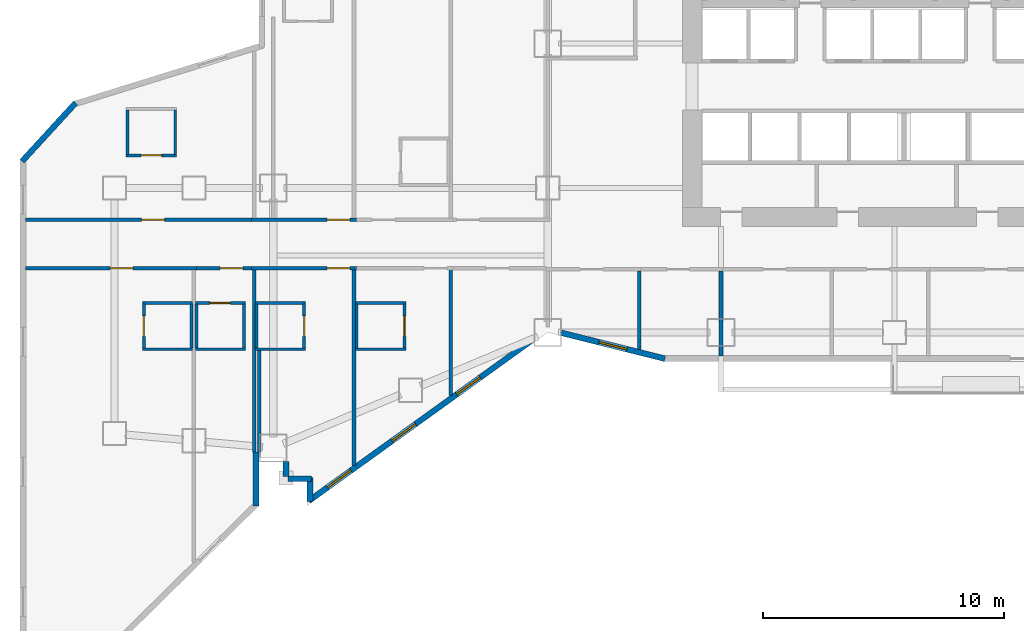
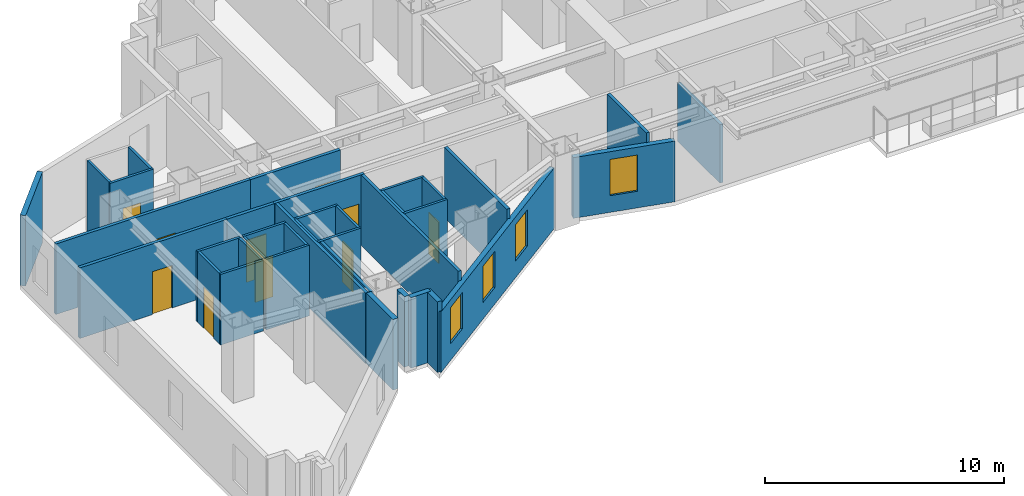
# One storey, part 5 of 16: 37 walls, 10 doors, 4 windows, 14 openings.
"""IFC4 building model written with IfcOpenShell, lengths in metres."""

from ifc_helpers import new_model, si_unit, direction, frame, frame_2d, origin, place, context, subcontext, project, spatial, rectangle, extrude, material, layer, layer_set, type_object, element, fill, save


model = new_model("IFC4")

# Units and contexts
model_context = context("Model", 3, precision=1e-05, world=origin(), true_north=direction((0.0, 1.0)))
body_context = subcontext(model_context, "Body", "Model", "MODEL_VIEW")
ifc_project = project(units=[si_unit("LENGTHUNIT", "METRE"), si_unit("AREAUNIT", "SQUARE_METRE"), si_unit("VOLUMEUNIT", "CUBIC_METRE"), si_unit("PLANEANGLEUNIT", "RADIAN"), si_unit("MASSUNIT", "GRAM", prefix="KILO")], contexts=[model_context])

# Site, building, storey
site_placement = place(None, origin())
site = spatial("IfcSite", under=ifc_project, at=site_placement, CompositionType="ELEMENT")
building_placement = place(site_placement, origin())
building = spatial("IfcBuilding", under=site, at=building_placement, Name="Haolan Belvedere Tower", CompositionType="ELEMENT")
storey_placement = place(building_placement, frame((0.0, 0.0, 47.60009765625)))
storey = spatial("IfcBuildingStorey", under=building, at=storey_placement, Name="L11", CompositionType="ELEMENT", Elevation=47.60009765625)

# Walls
ifc_material_1 = material(Name="Precast concrete C40/50", Category="concrete")
ifc_layer_1 = layer(ifc_material_1, 0.239990234375, Name="Precast concrete C40/50")
ifc_layer_set_1 = layer_set([ifc_layer_1], Name="Precast concrete C40/50")
wall_type_1 = type_object("IfcWallType", Name="WL-EXT-240", PredefinedType="SOLIDWALL", material=ifc_layer_set_1)
wall_1_placement = place(storey_placement, frame((11.8798828125, 14.395263671875, 0.0), z_axis=(0.0, 0.0, 1.0), x_axis=(0.0, 1.0, 0.0)))
element("IfcWall", 1, at=wall_1_placement, inside=storey, type_object=wall_type_1, Name="L11 pale-metal exterior spandrel wall 6.1", PredefinedType="SOLIDWALL", context=body_context, shape_type="SweptSolid", body=[
    extrude(rectangle(XDim=2.24462890625, YDim=0.239990234375, at=frame_2d((1.122314453125, 0.0))), origin(), (0.0, 0.0, 1.0), 3.599853515625),
])
wall_2_placement = place(storey_placement, frame((13.1201171875, 16.23291015625, 0.0), z_axis=(0.0, 0.0, 1.0), x_axis=(0.0, -1.0, 0.0)))
element("IfcWall", 2, at=wall_2_placement, inside=storey, type_object=wall_type_1, Name="L11 pale-metal exterior spandrel wall 8.1", PredefinedType="SOLIDWALL", context=body_context, shape_type="SweptSolid", body=[
    extrude(rectangle(XDim=0.6279296875, YDim=0.239990234375, at=frame_2d((0.31396484375, 0.0))), origin(), (0.0, 0.0, 1.0), 3.599853515625),
])
wall_3_placement = place(storey_placement, frame((13.205078125, 15.52001953125, 0.0), z_axis=(0.0, 0.0, 1.0), x_axis=(1.0, 0.0, 0.0)))
element("IfcWall", 3, at=wall_3_placement, inside=storey, type_object=wall_type_1, Name="L11 pale-metal exterior spandrel wall 9.1", PredefinedType="SOLIDWALL", context=body_context, shape_type="SweptSolid", body=[
    extrude(rectangle(XDim=0.969970703125, YDim=0.239990234375, at=frame_2d((0.48486328125, 0.0))), origin(), (0.0, 0.0, 1.0), 3.599853515625),
])
wall_4_placement = place(storey_placement, frame((14.1201171875, 15.574951171875, 0.0), z_axis=(0.0, 0.0, 1.0), x_axis=(0.0, -1.0, 0.0)))
element("IfcWall", 4, at=wall_4_placement, inside=storey, type_object=wall_type_1, Name="L11 pale-metal exterior spandrel wall 10.1", PredefinedType="SOLIDWALL", context=body_context, shape_type="SweptSolid", body=[
    extrude(rectangle(XDim=0.99560546875, YDim=0.239990234375, at=frame_2d((0.497802734375, 0.0))), origin(), (0.0, 0.0, 1.0), 3.599853515625),
])

# Wall, openings, windows
wall_5_placement = place(storey_placement, frame((14.075439453125, 14.602294921875, 0.0), z_axis=(0.0, 0.0, 1.0), x_axis=(0.811543176492, 0.58429245476, 0.0)))
wall_5 = element("IfcWall", 5, at=wall_5_placement, inside=storey, type_object=wall_type_1, Name="L11 pale-metal exterior spandrel wall 11.1", PredefinedType="SOLIDWALL", context=body_context, shape_type="SweptSolid", body=[
    extrude(rectangle(XDim=11.53076171875, YDim=0.239990234375, at=frame_2d((5.765380859375, 0.0))), origin(), (0.0, 0.0, 1.0), 3.096923828125),
])
opening_1_placement = place(wall_5_placement, frame((0.950439453125, 0.0, 0.85009765625)))
opening_1 = element("IfcOpeningElement", 6, at=opening_1_placement, cuts=wall_5, Name="Opening W-01", PredefinedType="OPENING", context=body_context, shape_type="SweptSolid", body=[
    extrude(rectangle(XDim=1.199951171875, YDim=1.85009765625, at=frame_2d((0.60009765625, 0.925048828125))), frame((0.0, 0.1298828125, 0.0), z_axis=(0.0, -1.0, 0.0), x_axis=(1.0, 0.0, 0.0)), (0.0, 0.0, 1.0), 0.260009765625),
])
opening_2_placement = place(wall_5_placement, frame((7.57421875, 0.0, 0.85009765625)))
opening_2 = element("IfcOpeningElement", 7, at=opening_2_placement, cuts=wall_5, Name="Opening W-01", PredefinedType="OPENING", context=body_context, shape_type="SweptSolid", body=[
    extrude(rectangle(XDim=1.199951171875, YDim=1.85009765625, at=frame_2d((0.60009765625, 0.925048828125))), frame((0.0, 0.1298828125, 0.0), z_axis=(0.0, -1.0, 0.0), x_axis=(1.0, 0.0, 0.0)), (0.0, 0.0, 1.0), 0.260009765625),
])
opening_3_placement = place(wall_5_placement, frame((4.26220703125, 0.0, 0.85009765625)))
opening_3 = element("IfcOpeningElement", 8, at=opening_3_placement, cuts=wall_5, Name="Opening W-01", PredefinedType="OPENING", context=body_context, shape_type="SweptSolid", body=[
    extrude(rectangle(XDim=1.199951171875, YDim=1.85009765625, at=frame_2d((0.60009765625, 0.925048828125))), frame((0.0, 0.1298828125, 0.0), z_axis=(0.0, -1.0, 0.0), x_axis=(1.0, 0.0, 0.0)), (0.0, 0.0, 1.0), 0.260009765625),
])
ifc_material_2 = material(Name="Anodised aluminium 6063-T6 and Low-E glass", Category="aluminium")
window_type = type_object("IfcWindowType", Name="WN-DECO-Z1", PartitioningType="SINGLE_PANEL", PredefinedType="WINDOW", material=ifc_material_2)
window_1_placement = place(opening_1_placement, origin())
window_1 = element("IfcWindow", 9, at=window_1_placement, inside=storey, type_object=window_type, Name="L11 Art Deco chevron window 1", OverallHeight=1.85009765625, OverallWidth=1.199951171875, PartitioningType="SINGLE_PANEL", PredefinedType="WINDOW", context=body_context, shape_type="SweptSolid", body=[
    extrude(rectangle(XDim=1.199951171875, YDim=1.85009765625, at=frame_2d((0.60009765625, 0.925048828125))), frame((0.0, 0.030029296875, 0.0), z_axis=(0.0, -1.0, 0.0), x_axis=(1.0, 0.0, 0.0)), (0.0, 0.0, 1.0), 0.06005859375),
])
fill(opening_1, window_1)
window_2_placement = place(opening_2_placement, origin())
window_2 = element("IfcWindow", 10, at=window_2_placement, inside=storey, type_object=window_type, Name="L11 Art Deco chevron window 2", OverallHeight=1.85009765625, OverallWidth=1.199951171875, PartitioningType="SINGLE_PANEL", PredefinedType="WINDOW", context=body_context, shape_type="SweptSolid", body=[
    extrude(rectangle(XDim=1.199951171875, YDim=1.85009765625, at=frame_2d((0.60009765625, 0.925048828125))), frame((0.0, 0.030029296875, 0.0), z_axis=(0.0, -1.0, 0.0), x_axis=(1.0, 0.0, 0.0)), (0.0, 0.0, 1.0), 0.06005859375),
])
fill(opening_2, window_2)
window_3_placement = place(opening_3_placement, origin())
window_3 = element("IfcWindow", 11, at=window_3_placement, inside=storey, type_object=window_type, Name="L11 Art Deco guestroom window 1", OverallHeight=1.85009765625, OverallWidth=1.199951171875, PartitioningType="SINGLE_PANEL", PredefinedType="WINDOW", context=body_context, shape_type="SweptSolid", body=[
    extrude(rectangle(XDim=1.199951171875, YDim=1.85009765625, at=frame_2d((0.60009765625, 0.925048828125))), frame((0.0, 0.030029296875, 0.0), z_axis=(0.0, -1.0, 0.0), x_axis=(1.0, 0.0, 0.0)), (0.0, 0.0, 1.0), 0.06005859375),
])
fill(opening_3, window_3)

# Wall, opening, window
wall_6_placement = place(storey_placement, frame((24.56689453125, 21.581787109375, 0.0), z_axis=(0.0, 0.0, 1.0), x_axis=(0.970148978127, -0.24250971164, 0.0)))
wall_6 = element("IfcWall", 12, at=wall_6_placement, inside=storey, type_object=wall_type_1, Name="L11 pale-metal exterior spandrel wall 12.1", PredefinedType="SOLIDWALL", context=body_context, shape_type="SweptSolid", body=[
    extrude(rectangle(XDim=4.43359375, YDim=0.239990234375, at=frame_2d((2.216796875, 0.0))), origin(), (0.0, 0.0, 1.0), 3.096923828125),
])
opening_4_placement = place(wall_6_placement, frame((1.60009765625, 0.0, 0.85009765625)))
opening_4 = element("IfcOpeningElement", 13, at=opening_4_placement, cuts=wall_6, Name="Opening W-01", PredefinedType="OPENING", context=body_context, shape_type="SweptSolid", body=[
    extrude(rectangle(XDim=1.199951171875, YDim=1.85009765625, at=frame_2d((0.60009765625, 0.925048828125))), frame((0.0, 0.1298828125, 0.0), z_axis=(0.0, -1.0, 0.0), x_axis=(1.0, 0.0, 0.0)), (0.0, 0.0, 1.0), 0.260009765625),
])
window_4_placement = place(opening_4_placement, origin())
window_4 = element("IfcWindow", 14, at=window_4_placement, inside=storey, type_object=window_type, Name="L11 Art Deco chevron window 1", OverallHeight=1.85009765625, OverallWidth=1.199951171875, PartitioningType="SINGLE_PANEL", PredefinedType="WINDOW", context=body_context, shape_type="SweptSolid", body=[
    extrude(rectangle(XDim=1.199951171875, YDim=1.85009765625, at=frame_2d((0.60009765625, 0.925048828125))), frame((0.0, 0.030029296875, 0.0), z_axis=(0.0, -1.0, 0.0), x_axis=(1.0, 0.0, 0.0)), (0.0, 0.0, 1.0), 0.06005859375),
])
fill(opening_4, window_4)

# Walls
wall_7_placement = place(storey_placement, frame((4.3837890625, 31.135498046875, 0.0), z_axis=(0.0, 0.0, 1.0), x_axis=(-0.675761629512, -0.737120220913, 0.0)))
element("IfcWall", 15, at=wall_7_placement, inside=storey, type_object=wall_type_1, Name="L11 pale-metal exterior spandrel wall 58.1", PredefinedType="SOLIDWALL", context=body_context, shape_type="SweptSolid", body=[
    extrude(rectangle(XDim=3.28662109375, YDim=0.239990234375, at=frame_2d((1.643310546875, 0.0))), origin(), (0.0, 0.0, 1.0), 3.599853515625),
])
ifc_material_3 = material(Name="Double gypsum acoustic stud partition", Category="masonry")
ifc_layer_2 = layer(ifc_material_3, 0.14990234375, Name="Double gypsum acoustic stud partition")
ifc_layer_set_2 = layer_set([ifc_layer_2], Name="Double gypsum acoustic stud partition")
wall_type_2 = type_object("IfcWallType", Name="WL-PART-150", PredefinedType="PARTITIONING", material=ifc_layer_set_2)
wall_8_placement = place(storey_placement, frame((27.800048828125, 20.882080078125, 0.0), z_axis=(0.0, 0.0, 1.0), x_axis=(0.0, 1.0, 0.0)))
element("IfcWall", 16, at=wall_8_placement, inside=storey, type_object=wall_type_2, Name="L11 interior partition IW-L11-KS1-E", PredefinedType="PARTITIONING", context=body_context, shape_type="SweptSolid", body=[
    extrude(rectangle(XDim=3.27783203125, YDim=0.14990234375, at=frame_2d((1.638916015625, 0.0))), origin(), (0.0, 0.0, 1.0), 3.599853515625),
])
wall_9_placement = place(storey_placement, frame((31.199951171875, 20.625, 0.0), z_axis=(0.0, 0.0, 1.0), x_axis=(0.0, 1.0, 0.0)))
element("IfcWall", 17, at=wall_9_placement, inside=storey, type_object=wall_type_2, Name="L11 interior partition IW-L11-KS2-E", PredefinedType="PARTITIONING", context=body_context, shape_type="SweptSolid", body=[
    extrude(rectangle(XDim=3.534912109375, YDim=0.14990234375, at=frame_2d((1.767578125, 0.0))), origin(), (0.0, 0.0, 1.0), 2.98486328125),
])

# Wall, opening, door
wall_10_placement = place(storey_placement, frame((11.699951171875, 26.280029296875, 0.0), z_axis=(0.0, 0.0, 1.0), x_axis=(1.0, 0.0, 0.0)))
wall_10 = element("IfcWall", 18, at=wall_10_placement, inside=storey, type_object=wall_type_2, Name="L11 interior partition IW-L11-T2N1-S", PredefinedType="PARTITIONING", context=body_context, shape_type="SweptSolid", body=[
    extrude(rectangle(XDim=4.35009765625, YDim=0.14990234375, at=frame_2d((2.175048828125, 0.0))), origin(), (0.0, 0.0, 1.0), 3.599853515625),
])
opening_5_placement = place(wall_10_placement, frame((3.1298828125, 0.0, 0.0)))
opening_5 = element("IfcOpeningElement", 19, at=opening_5_placement, cuts=wall_10, Name="Opening ID-02", PredefinedType="OPENING", context=body_context, shape_type="SweptSolid", body=[
    extrude(rectangle(XDim=0.949951171875, YDim=2.14990234375, at=frame_2d((0.47509765625, 1.074951171875))), frame((0.0, 0.0849609375, 0.0), z_axis=(0.0, -1.0, 0.0), x_axis=(1.0, 0.0, 0.0)), (0.0, 0.0, 1.0), 0.169921875),
])
ifc_material_4 = material(Name="Acoustic oak veneer fire-rated timber", Category="wood")
door_type_1 = type_object("IfcDoorType", Name="DR-GUEST-950", OperationType="NOTDEFINED", PredefinedType="DOOR", material=ifc_material_4)
door_1_placement = place(opening_5_placement, origin())
door_1 = element("IfcDoor", 20, at=door_1_placement, inside=storey, type_object=door_type_1, Name="L11 door ID-L11-T2N1-ENT", OperationType="SINGLE_SWING_RIGHT", OverallHeight=2.14990234375, OverallWidth=0.949951171875, PredefinedType="DOOR", context=body_context, shape_type="SweptSolid", body=[
    extrude(rectangle(XDim=0.949951171875, YDim=2.14990234375, at=frame_2d((0.47509765625, 1.074951171875))), frame((0.0, 0.02490234375, 0.0), z_axis=(0.0, -1.0, 0.0), x_axis=(1.0, 0.0, 0.0)), (0.0, 0.0, 1.0), 0.050048828125),
])
fill(opening_5, door_1)

wall_11_placement = place(storey_placement, frame((11.699951171875, 24.27001953125, 0.0), z_axis=(0.0, 0.0, 1.0), x_axis=(1.0, 0.0, 0.0)))
wall_11 = element("IfcWall", 21, at=wall_11_placement, inside=storey, type_object=wall_type_2, Name="L11 interior partition IW-L11-T2S1-N", PredefinedType="PARTITIONING", context=body_context, shape_type="SweptSolid", body=[
    extrude(rectangle(XDim=4.35009765625, YDim=0.14990234375, at=frame_2d((2.175048828125, 0.0))), origin(), (0.0, 0.0, 1.0), 3.599853515625),
])
opening_6_placement = place(wall_11_placement, frame((4.079833984375, 0.0, 0.0), z_axis=(0.0, 0.0, 1.0), x_axis=(-1.0, 0.0, 0.0)))
opening_6 = element("IfcOpeningElement", 22, at=opening_6_placement, cuts=wall_11, Name="Opening ID-02", PredefinedType="OPENING", context=body_context, shape_type="SweptSolid", body=[
    extrude(rectangle(XDim=0.949951171875, YDim=2.14990234375, at=frame_2d((0.47509765625, 1.074951171875))), frame((0.0, 0.0849609375, 0.0), z_axis=(0.0, -1.0, 0.0), x_axis=(1.0, 0.0, 0.0)), (0.0, 0.0, 1.0), 0.169921875),
])
door_2_placement = place(opening_6_placement, origin())
door_2 = element("IfcDoor", 23, at=door_2_placement, inside=storey, type_object=door_type_1, Name="L11 door ID-L11-T2S1-ENT", OperationType="SINGLE_SWING_LEFT", OverallHeight=2.14990234375, OverallWidth=0.949951171875, PredefinedType="DOOR", context=body_context, shape_type="SweptSolid", body=[
    extrude(rectangle(XDim=0.949951171875, YDim=2.14990234375, at=frame_2d((0.47509765625, 1.074951171875))), frame((0.0, 0.02490234375, 0.0), z_axis=(0.0, -1.0, 0.0), x_axis=(1.0, 0.0, 0.0)), (0.0, 0.0, 1.0), 0.050048828125),
])
fill(opening_6, door_2)

# Walls
wall_12_placement = place(storey_placement, frame((11.800048828125, 16.64208984375, 0.0), z_axis=(0.0, 0.0, 1.0), x_axis=(0.0, 1.0, 0.0)))
element("IfcWall", 24, at=wall_12_placement, inside=storey, type_object=wall_type_2, Name="L11 interior partition IW-L11-T2S1-W", PredefinedType="PARTITIONING", context=body_context, shape_type="SweptSolid", body=[
    extrude(rectangle(XDim=7.56787109375, YDim=0.14990234375, at=frame_2d((3.783935546875, 0.0))), origin(), (0.0, 0.0, 1.0), 3.599853515625),
])
wall_13_placement = place(storey_placement, frame((15.949951171875, 16.081298828125, 0.0), z_axis=(0.0, 0.0, 1.0), x_axis=(0.0, 1.0, 0.0)))
element("IfcWall", 25, at=wall_13_placement, inside=storey, type_object=wall_type_2, Name="L11 interior partition IW-L11-T2S1-E", PredefinedType="PARTITIONING", context=body_context, shape_type="SweptSolid", body=[
    extrude(rectangle(XDim=8.128662109375, YDim=0.14990234375, at=frame_2d((4.064453125, 0.0))), origin(), (0.0, 0.0, 1.0), 3.599853515625),
])
wall_14_placement = place(storey_placement, frame((19.969970703125, 18.9755859375, 0.0), z_axis=(0.0, 0.0, 1.0), x_axis=(0.0, 1.0, 0.0)))
element("IfcWall", 26, at=wall_14_placement, inside=storey, type_object=wall_type_2, Name="L11 interior partition IW-L11-T2S2-E", PredefinedType="PARTITIONING", context=body_context, shape_type="SweptSolid", body=[
    extrude(rectangle(XDim=5.234375, YDim=0.14990234375, at=frame_2d((2.6171875, 0.0))), origin(), (0.0, 0.0, 1.0), 3.599853515625),
])

# Wall, opening, door
wall_15_placement = place(storey_placement, frame((2.304931640625, 24.27001953125, 0.0), z_axis=(0.0, 0.0, 1.0), x_axis=(1.0, 0.0, 0.0)))
wall_15 = element("IfcWall", 27, at=wall_15_placement, inside=storey, type_object=wall_type_2, Name="L11 interior partition IW-L11-T1S1-N", PredefinedType="PARTITIONING", context=body_context, shape_type="SweptSolid", body=[
    extrude(rectangle(XDim=7.094970703125, YDim=0.14990234375, at=frame_2d((3.54736328125, 0.0))), origin(), (0.0, 0.0, 1.0), 3.599853515625),
])
opening_7_placement = place(wall_15_placement, frame((4.46240234375, 0.0, 0.0), z_axis=(0.0, 0.0, 1.0), x_axis=(-1.0, 0.0, 0.0)))
opening_7 = element("IfcOpeningElement", 28, at=opening_7_placement, cuts=wall_15, Name="Opening ID-01", PredefinedType="OPENING", context=body_context, shape_type="SweptSolid", body=[
    extrude(rectangle(XDim=0.949951171875, YDim=2.179931640625, at=frame_2d((0.47509765625, 1.08984375))), frame((0.0, 0.0849609375, 0.0), z_axis=(0.0, -1.0, 0.0), x_axis=(1.0, 0.0, 0.0)), (0.0, 0.0, 1.0), 0.169921875),
])
ifc_material_5 = material(Name="Acoustic walnut veneer fire-rated timber", Category="wood")
door_type_2 = type_object("IfcDoorType", Name="DR-SUITE-950", OperationType="NOTDEFINED", PredefinedType="DOOR", material=ifc_material_5)
door_3_placement = place(opening_7_placement, origin())
door_3 = element("IfcDoor", 29, at=door_3_placement, inside=storey, type_object=door_type_2, Name="L11 door ID-L11-T1S1-ENT", OperationType="SINGLE_SWING_RIGHT", OverallHeight=2.179931640625, OverallWidth=0.949951171875, PredefinedType="DOOR", context=body_context, shape_type="SweptSolid", body=[
    extrude(rectangle(XDim=0.949951171875, YDim=2.179931640625, at=frame_2d((0.47509765625, 1.08984375))), frame((0.0, 0.02490234375, 0.0), z_axis=(0.0, -1.0, 0.0), x_axis=(1.0, 0.0, 0.0)), (0.0, 0.0, 1.0), 0.050048828125),
])
fill(opening_7, door_3)

wall_16_placement = place(storey_placement, frame((9.402099609375, 24.27001953125, 0.0), z_axis=(0.0, 0.0, 1.0), x_axis=(1.0, 0.0, 0.0)))
wall_16 = element("IfcWall", 30, at=wall_16_placement, inside=storey, type_object=wall_type_2, Name="L11 interior partition IW-L11-T1S2-N", PredefinedType="PARTITIONING", context=body_context, shape_type="SweptSolid", body=[
    extrude(rectangle(XDim=2.2958984375, YDim=0.14990234375, at=frame_2d((1.14794921875, 0.0))), origin(), (0.0, 0.0, 1.0), 3.599853515625),
])
opening_8_placement = place(wall_16_placement, frame((1.93408203125, 0.0, 0.0), z_axis=(0.0, 0.0, 1.0), x_axis=(-1.0, 0.0, 0.0)))
opening_8 = element("IfcOpeningElement", 31, at=opening_8_placement, cuts=wall_16, Name="Opening ID-02", PredefinedType="OPENING", context=body_context, shape_type="SweptSolid", body=[
    extrude(rectangle(XDim=0.949951171875, YDim=2.14990234375, at=frame_2d((0.47509765625, 1.074951171875))), frame((0.0, 0.0849609375, 0.0), z_axis=(0.0, -1.0, 0.0), x_axis=(1.0, 0.0, 0.0)), (0.0, 0.0, 1.0), 0.169921875),
])
door_4_placement = place(opening_8_placement, origin())
door_4 = element("IfcDoor", 32, at=door_4_placement, inside=storey, type_object=door_type_1, Name="L11 door ID-L11-T1S2-ENT", OperationType="SINGLE_SWING_LEFT", OverallHeight=2.14990234375, OverallWidth=0.949951171875, PredefinedType="DOOR", context=body_context, shape_type="SweptSolid", body=[
    extrude(rectangle(XDim=0.949951171875, YDim=2.14990234375, at=frame_2d((0.47509765625, 1.074951171875))), frame((0.0, 0.02490234375, 0.0), z_axis=(0.0, -1.0, 0.0), x_axis=(1.0, 0.0, 0.0)), (0.0, 0.0, 1.0), 0.050048828125),
])
fill(opening_8, door_4)

# Wall
wall_17_placement = place(storey_placement, frame((12.02001953125, 16.612060546875, 0.0), z_axis=(0.0, 0.0, 1.0), x_axis=(0.0, 1.0, 0.0)))
element("IfcWall", 33, at=wall_17_placement, inside=storey, type_object=wall_type_2, Name="L11 interior partition IW-L11-T1S2-E", PredefinedType="PARTITIONING", context=body_context, shape_type="SweptSolid", body=[
    extrude(rectangle(XDim=4.242919921875, YDim=0.14990234375, at=frame_2d((2.12158203125, 0.0))), origin(), (0.0, 0.0, 1.0), 3.599853515625),
])

# Wall, opening, door
wall_18_placement = place(storey_placement, frame((2.304931640625, 26.280029296875, 0.0), z_axis=(0.0, 0.0, 1.0), x_axis=(1.0, 0.0, 0.0)))
wall_18 = element("IfcWall", 34, at=wall_18_placement, inside=storey, type_object=wall_type_2, Name="L11 interior partition IW-L11-T1N1-S", PredefinedType="PARTITIONING", context=body_context, shape_type="SweptSolid", body=[
    extrude(rectangle(XDim=9.39306640625, YDim=0.14990234375, at=frame_2d((4.696533203125, 0.0))), origin(), (0.0, 0.0, 1.0), 3.599853515625),
])
opening_9_placement = place(wall_18_placement, frame((4.826904296875, 0.0, 0.0)))
opening_9 = element("IfcOpeningElement", 35, at=opening_9_placement, cuts=wall_18, Name="Opening ID-02", PredefinedType="OPENING", context=body_context, shape_type="SweptSolid", body=[
    extrude(rectangle(XDim=0.949951171875, YDim=2.14990234375, at=frame_2d((0.47509765625, 1.074951171875))), frame((0.0, 0.0849609375, 0.0), z_axis=(0.0, -1.0, 0.0), x_axis=(1.0, 0.0, 0.0)), (0.0, 0.0, 1.0), 0.169921875),
])
door_5_placement = place(opening_9_placement, origin())
door_5 = element("IfcDoor", 36, at=door_5_placement, inside=storey, type_object=door_type_1, Name="L11 door ID-L11-T1N1-ENT", OperationType="SINGLE_SWING_RIGHT", OverallHeight=2.14990234375, OverallWidth=0.949951171875, PredefinedType="DOOR", context=body_context, shape_type="SweptSolid", body=[
    extrude(rectangle(XDim=0.949951171875, YDim=2.14990234375, at=frame_2d((0.47509765625, 1.074951171875))), frame((0.0, 0.02490234375, 0.0), z_axis=(0.0, -1.0, 0.0), x_axis=(1.0, 0.0, 0.0)), (0.0, 0.0, 1.0), 0.050048828125),
])
fill(opening_9, door_5)

# Walls
ifc_material_6 = material(Name="Moisture-resistant gypsum tile partition", Category="masonry")
ifc_layer_3 = layer(ifc_material_6, 0.1201171875, Name="Moisture-resistant gypsum tile partition")
ifc_layer_set_3 = layer_set([ifc_layer_3], Name="Moisture-resistant gypsum tile partition")
wall_type_3 = type_object("IfcWallType", Name="WL-WET-120", PredefinedType="PARTITIONING", material=ifc_layer_set_3)
for number, where, z_axis, x_axis, name in (
    (37, (11.860107421875, 22.820068359375, 0.0), (0.0, 0.0, 1.0), (1.0, 0.0, 0.0), "L11 interior partition IW-L11-T2S1-BN"),
    (38, (11.860107421875, 20.89990234375, 0.0), (0.0, 0.0, 1.0), (1.0, 0.0, 0.0), "L11 interior partition IW-L11-T2S1-BS"),
):
    element("IfcWall", number, at=place(storey_placement, frame(where, z_axis=z_axis, x_axis=x_axis)), inside=storey, type_object=wall_type_3, Name=name, PredefinedType="PARTITIONING", context=body_context, shape_type="SweptSolid", body=[
        extrude(rectangle(XDim=2.079833984375, YDim=0.1201171875, at=frame_2d((1.0400390625, 0.0))), origin(), (0.0, 0.0, 1.0), 3.599853515625),
    ])
wall_19_placement = place(storey_placement, frame((11.89990234375, 20.945068359375, 0.0), z_axis=(0.0, 0.0, 1.0), x_axis=(0.0, 1.0, 0.0)))
element("IfcWall", 39, at=wall_19_placement, inside=storey, type_object=wall_type_3, Name="L11 interior partition IW-L11-T2S1-BW", PredefinedType="PARTITIONING", context=body_context, shape_type="SweptSolid", body=[
    extrude(rectangle(XDim=1.829833984375, YDim=0.1201171875, at=frame_2d((0.9150390625, 0.0))), origin(), (0.0, 0.0, 1.0), 3.599853515625),
])

# Wall, opening, door
wall_20_placement = place(storey_placement, frame((13.8798828125, 20.945068359375, 0.0), z_axis=(0.0, 0.0, 1.0), x_axis=(0.0, 1.0, 0.0)))
wall_20 = element("IfcWall", 40, at=wall_20_placement, inside=storey, type_object=wall_type_3, Name="L11 interior partition IW-L11-T2S1-BE", PredefinedType="PARTITIONING", context=body_context, shape_type="SweptSolid", body=[
    extrude(rectangle(XDim=1.829833984375, YDim=0.1201171875, at=frame_2d((0.9150390625, 0.0))), origin(), (0.0, 0.0, 1.0), 3.599853515625),
])
opening_10_placement = place(wall_20_placement, frame((0.489990234375, 0.0, 0.0)))
opening_10 = element("IfcOpeningElement", 41, at=opening_10_placement, cuts=wall_20, Name="Opening ID-05", PredefinedType="OPENING", context=body_context, shape_type="SweptSolid", body=[
    extrude(rectangle(XDim=0.85009765625, YDim=2.10009765625, at=frame_2d((0.425048828125, 1.050048828125))), frame((0.0, 0.070068359375, 0.0), z_axis=(0.0, -1.0, 0.0), x_axis=(1.0, 0.0, 0.0)), (0.0, 0.0, 1.0), 0.14013671875),
])
ifc_material_7 = material(Name="Moisture-resistant lacquered timber", Category="wood")
door_type_3 = type_object("IfcDoorType", Name="DR-BATH-850", OperationType="NOTDEFINED", PredefinedType="DOOR", material=ifc_material_7)
door_6_placement = place(opening_10_placement, origin())
door_6 = element("IfcDoor", 42, at=door_6_placement, inside=storey, type_object=door_type_3, Name="L11 door ID-L11-T2S1-BATH", OperationType="SINGLE_SWING_RIGHT", OverallHeight=2.10009765625, OverallWidth=0.85009765625, PredefinedType="DOOR", context=body_context, shape_type="SweptSolid", body=[
    extrude(rectangle(XDim=0.85009765625, YDim=2.10009765625, at=frame_2d((0.425048828125, 1.050048828125))), frame((0.0, 0.02490234375, 0.0), z_axis=(0.0, -1.0, 0.0), x_axis=(1.0, 0.0, 0.0)), (0.0, 0.0, 1.0), 0.050048828125),
])
fill(opening_10, door_6)

# Walls
for number, where, z_axis, x_axis, name in (
    (43, (16.010009765625, 22.820068359375, 0.0), (0.0, 0.0, 1.0), (1.0, 0.0, 0.0), "L11 interior partition IW-L11-T2S2-BN"),
    (44, (16.010009765625, 20.89990234375, 0.0), (0.0, 0.0, 1.0), (1.0, 0.0, 0.0), "L11 interior partition IW-L11-T2S2-BS"),
):
    element("IfcWall", number, at=place(storey_placement, frame(where, z_axis=z_axis, x_axis=x_axis)), inside=storey, type_object=wall_type_3, Name=name, PredefinedType="PARTITIONING", context=body_context, shape_type="SweptSolid", body=[
        extrude(rectangle(XDim=2.094970703125, YDim=0.1201171875, at=frame_2d((1.04736328125, 0.0))), origin(), (0.0, 0.0, 1.0), 3.599853515625),
    ])
wall_21_placement = place(storey_placement, frame((16.06494140625, 20.945068359375, 0.0), z_axis=(0.0, 0.0, 1.0), x_axis=(0.0, 1.0, 0.0)))
element("IfcWall", 45, at=wall_21_placement, inside=storey, type_object=wall_type_3, Name="L11 interior partition IW-L11-T2S2-BW", PredefinedType="PARTITIONING", context=body_context, shape_type="SweptSolid", body=[
    extrude(rectangle(XDim=1.829833984375, YDim=0.1201171875, at=frame_2d((0.9150390625, 0.0))), origin(), (0.0, 0.0, 1.0), 3.599853515625),
])

# Wall, opening, door
wall_22_placement = place(storey_placement, frame((18.044921875, 20.945068359375, 0.0), z_axis=(0.0, 0.0, 1.0), x_axis=(0.0, 1.0, 0.0)))
wall_22 = element("IfcWall", 46, at=wall_22_placement, inside=storey, type_object=wall_type_3, Name="L11 interior partition IW-L11-T2S2-BE", PredefinedType="PARTITIONING", context=body_context, shape_type="SweptSolid", body=[
    extrude(rectangle(XDim=1.829833984375, YDim=0.1201171875, at=frame_2d((0.9150390625, 0.0))), origin(), (0.0, 0.0, 1.0), 3.599853515625),
])
opening_11_placement = place(wall_22_placement, frame((0.489990234375, 0.0, 0.0)))
opening_11 = element("IfcOpeningElement", 47, at=opening_11_placement, cuts=wall_22, Name="Opening ID-05", PredefinedType="OPENING", context=body_context, shape_type="SweptSolid", body=[
    extrude(rectangle(XDim=0.85009765625, YDim=2.10009765625, at=frame_2d((0.425048828125, 1.050048828125))), frame((0.0, 0.070068359375, 0.0), z_axis=(0.0, -1.0, 0.0), x_axis=(1.0, 0.0, 0.0)), (0.0, 0.0, 1.0), 0.14013671875),
])
door_7_placement = place(opening_11_placement, origin())
door_7 = element("IfcDoor", 48, at=door_7_placement, inside=storey, type_object=door_type_3, Name="L11 door ID-L11-T2S2-BATH", OperationType="SINGLE_SWING_LEFT", OverallHeight=2.10009765625, OverallWidth=0.85009765625, PredefinedType="DOOR", context=body_context, shape_type="SweptSolid", body=[
    extrude(rectangle(XDim=0.85009765625, YDim=2.10009765625, at=frame_2d((0.425048828125, 1.050048828125))), frame((0.0, 0.02490234375, 0.0), z_axis=(0.0, -1.0, 0.0), x_axis=(1.0, 0.0, 0.0)), (0.0, 0.0, 1.0), 0.050048828125),
])
fill(opening_11, door_7)

# Walls
for number, where, z_axis, x_axis, name in (
    (49, (7.159912109375, 22.820068359375, 0.0), (0.0, 0.0, 1.0), (1.0, 0.0, 0.0), "L11 interior partition IW-L11-T1S1-BN"),
    (50, (7.159912109375, 20.89990234375, 0.0), (0.0, 0.0, 1.0), (1.0, 0.0, 0.0), "L11 interior partition IW-L11-T1S1-BS"),
):
    element("IfcWall", number, at=place(storey_placement, frame(where, z_axis=z_axis, x_axis=x_axis)), inside=storey, type_object=wall_type_3, Name=name, PredefinedType="PARTITIONING", context=body_context, shape_type="SweptSolid", body=[
        extrude(rectangle(XDim=2.080078125, YDim=0.1201171875, at=frame_2d((1.0400390625, 0.0))), origin(), (0.0, 0.0, 1.0), 3.599853515625),
    ])

# Wall, opening, door
wall_23_placement = place(storey_placement, frame((7.219970703125, 20.945068359375, 0.0), z_axis=(0.0, 0.0, 1.0), x_axis=(0.0, 1.0, 0.0)))
wall_23 = element("IfcWall", 51, at=wall_23_placement, inside=storey, type_object=wall_type_3, Name="L11 interior partition IW-L11-T1S1-BW", PredefinedType="PARTITIONING", context=body_context, shape_type="SweptSolid", body=[
    extrude(rectangle(XDim=1.829833984375, YDim=0.1201171875, at=frame_2d((0.9150390625, 0.0))), origin(), (0.0, 0.0, 1.0), 3.599853515625),
])
opening_12_placement = place(wall_23_placement, frame((1.340087890625, 0.0, 0.0), z_axis=(0.0, 0.0, 1.0), x_axis=(-1.0, 0.0, 0.0)))
opening_12 = element("IfcOpeningElement", 52, at=opening_12_placement, cuts=wall_23, Name="Opening ID-05", PredefinedType="OPENING", context=body_context, shape_type="SweptSolid", body=[
    extrude(rectangle(XDim=0.85009765625, YDim=2.10009765625, at=frame_2d((0.425048828125, 1.050048828125))), frame((0.0, 0.070068359375, 0.0), z_axis=(0.0, -1.0, 0.0), x_axis=(1.0, 0.0, 0.0)), (0.0, 0.0, 1.0), 0.14013671875),
])
door_8_placement = place(opening_12_placement, origin())
door_8 = element("IfcDoor", 53, at=door_8_placement, inside=storey, type_object=door_type_3, Name="L11 door ID-L11-T1S1-BATH", OperationType="SINGLE_SWING_LEFT", OverallHeight=2.10009765625, OverallWidth=0.85009765625, PredefinedType="DOOR", context=body_context, shape_type="SweptSolid", body=[
    extrude(rectangle(XDim=0.85009765625, YDim=2.10009765625, at=frame_2d((0.425048828125, 1.050048828125))), frame((0.0, 0.02490234375, 0.0), z_axis=(0.0, -1.0, 0.0), x_axis=(1.0, 0.0, 0.0)), (0.0, 0.0, 1.0), 0.050048828125),
])
fill(opening_12, door_8)

# Wall
wall_24_placement = place(storey_placement, frame((9.199951171875, 20.945068359375, 0.0), z_axis=(0.0, 0.0, 1.0), x_axis=(0.0, 1.0, 0.0)))
element("IfcWall", 54, at=wall_24_placement, inside=storey, type_object=wall_type_3, Name="L11 interior partition IW-L11-T1S1-BE", PredefinedType="PARTITIONING", context=body_context, shape_type="SweptSolid", body=[
    extrude(rectangle(XDim=1.829833984375, YDim=0.1201171875, at=frame_2d((0.9150390625, 0.0))), origin(), (0.0, 0.0, 1.0), 3.599853515625),
])

# Wall, opening, door
wall_25_placement = place(storey_placement, frame((9.360107421875, 22.820068359375, 0.0), z_axis=(0.0, 0.0, 1.0), x_axis=(1.0, 0.0, 0.0)))
wall_25 = element("IfcWall", 55, at=wall_25_placement, inside=storey, type_object=wall_type_3, Name="L11 interior partition IW-L11-T1S2-BN", PredefinedType="PARTITIONING", context=body_context, shape_type="SweptSolid", body=[
    extrude(rectangle(XDim=2.079833984375, YDim=0.1201171875, at=frame_2d((1.0400390625, 0.0))), origin(), (0.0, 0.0, 1.0), 3.599853515625),
])
opening_13_placement = place(wall_25_placement, frame((1.455078125, 0.0, 0.0), z_axis=(0.0, 0.0, 1.0), x_axis=(-1.0, 0.0, 0.0)))
opening_13 = element("IfcOpeningElement", 56, at=opening_13_placement, cuts=wall_25, Name="Opening ID-05", PredefinedType="OPENING", context=body_context, shape_type="SweptSolid", body=[
    extrude(rectangle(XDim=0.85009765625, YDim=2.10009765625, at=frame_2d((0.425048828125, 1.050048828125))), frame((0.0, 0.070068359375, 0.0), z_axis=(0.0, -1.0, 0.0), x_axis=(1.0, 0.0, 0.0)), (0.0, 0.0, 1.0), 0.14013671875),
])
door_9_placement = place(opening_13_placement, origin())
door_9 = element("IfcDoor", 57, at=door_9_placement, inside=storey, type_object=door_type_3, Name="L11 door ID-L11-T1S2-BATH", OperationType="SINGLE_SWING_RIGHT", OverallHeight=2.10009765625, OverallWidth=0.85009765625, PredefinedType="DOOR", context=body_context, shape_type="SweptSolid", body=[
    extrude(rectangle(XDim=0.85009765625, YDim=2.10009765625, at=frame_2d((0.425048828125, 1.050048828125))), frame((0.0, 0.02490234375, 0.0), z_axis=(0.0, -1.0, 0.0), x_axis=(1.0, 0.0, 0.0)), (0.0, 0.0, 1.0), 0.050048828125),
])
fill(opening_13, door_9)

# Walls
wall_26_placement = place(storey_placement, frame((9.360107421875, 20.89990234375, 0.0), z_axis=(0.0, 0.0, 1.0), x_axis=(1.0, 0.0, 0.0)))
element("IfcWall", 58, at=wall_26_placement, inside=storey, type_object=wall_type_3, Name="L11 interior partition IW-L11-T1S2-BS", PredefinedType="PARTITIONING", context=body_context, shape_type="SweptSolid", body=[
    extrude(rectangle(XDim=2.079833984375, YDim=0.1201171875, at=frame_2d((1.0400390625, 0.0))), origin(), (0.0, 0.0, 1.0), 3.599853515625),
])
for number, where, z_axis, x_axis, name in (
    (59, (9.39990234375, 20.945068359375, 0.0), (0.0, 0.0, 1.0), (0.0, 1.0, 0.0), "L11 interior partition IW-L11-T1S2-BW"),
    (60, (11.3798828125, 20.945068359375, 0.0), (0.0, 0.0, 1.0), (0.0, 1.0, 0.0), "L11 interior partition IW-L11-T1S2-BE"),
):
    element("IfcWall", number, at=place(storey_placement, frame(where, z_axis=z_axis, x_axis=x_axis)), inside=storey, type_object=wall_type_3, Name=name, PredefinedType="PARTITIONING", context=body_context, shape_type="SweptSolid", body=[
        extrude(rectangle(XDim=1.829833984375, YDim=0.1201171875, at=frame_2d((0.9150390625, 0.0))), origin(), (0.0, 0.0, 1.0), 3.599853515625),
    ])

# Wall, opening, door
wall_27_placement = place(storey_placement, frame((6.48291015625, 28.9580078125, 0.0), z_axis=(0.0, 0.0, 1.0), x_axis=(1.0, 0.0, 0.0)))
wall_27 = element("IfcWall", 61, at=wall_27_placement, inside=storey, type_object=wall_type_3, Name="L11 interior partition IW-L11-T1N1-BS", PredefinedType="PARTITIONING", context=body_context, shape_type="SweptSolid", body=[
    extrude(rectangle(XDim=2.10009765625, YDim=0.1201171875, at=frame_2d((1.050048828125, 0.0))), origin(), (0.0, 0.0, 1.0), 3.599853515625),
])
opening_14_placement = place(wall_27_placement, frame((0.625, 0.0, 0.0)))
opening_14 = element("IfcOpeningElement", 62, at=opening_14_placement, cuts=wall_27, Name="Opening ID-05", PredefinedType="OPENING", context=body_context, shape_type="SweptSolid", body=[
    extrude(rectangle(XDim=0.85009765625, YDim=2.10009765625, at=frame_2d((0.425048828125, 1.050048828125))), frame((0.0, 0.070068359375, 0.0), z_axis=(0.0, -1.0, 0.0), x_axis=(1.0, 0.0, 0.0)), (0.0, 0.0, 1.0), 0.14013671875),
])
door_10_placement = place(opening_14_placement, origin())
door_10 = element("IfcDoor", 63, at=door_10_placement, inside=storey, type_object=door_type_3, Name="L11 door ID-L11-T1N1-BATH", OperationType="SINGLE_SWING_LEFT", OverallHeight=2.10009765625, OverallWidth=0.85009765625, PredefinedType="DOOR", context=body_context, shape_type="SweptSolid", body=[
    extrude(rectangle(XDim=0.85009765625, YDim=2.10009765625, at=frame_2d((0.425048828125, 1.050048828125))), frame((0.0, 0.02490234375, 0.0), z_axis=(0.0, -1.0, 0.0), x_axis=(1.0, 0.0, 0.0)), (0.0, 0.0, 1.0), 0.050048828125),
])
fill(opening_14, door_10)

# Walls
for number, where, z_axis, x_axis, name in (
    (64, (6.54296875, 29.0029296875, 0.0), (0.0, 0.0, 1.0), (0.0, 1.0, 0.0), "L11 interior partition IW-L11-T1N1-BW"),
    (65, (8.52294921875, 29.0029296875, 0.0), (0.0, 0.0, 1.0), (0.0, 1.0, 0.0), "L11 interior partition IW-L11-T1N1-BE"),
):
    element("IfcWall", number, at=place(storey_placement, frame(where, z_axis=z_axis, x_axis=x_axis)), inside=storey, type_object=wall_type_3, Name=name, PredefinedType="PARTITIONING", context=body_context, shape_type="SweptSolid", body=[
        extrude(rectangle(XDim=1.830078125, YDim=0.1201171875, at=frame_2d((0.9150390625, 0.0))), origin(), (0.0, 0.0, 1.0), 3.599853515625),
    ])

save(model, "model.ifc")
